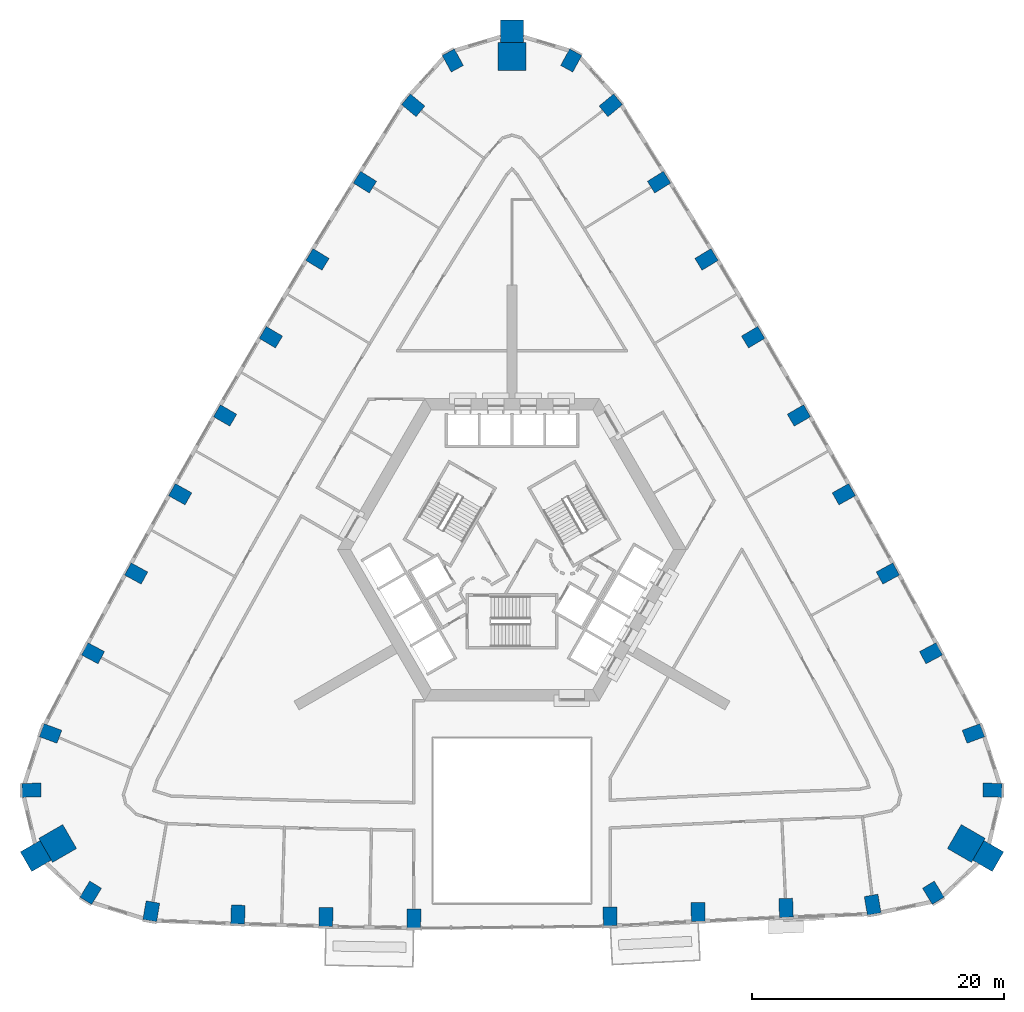
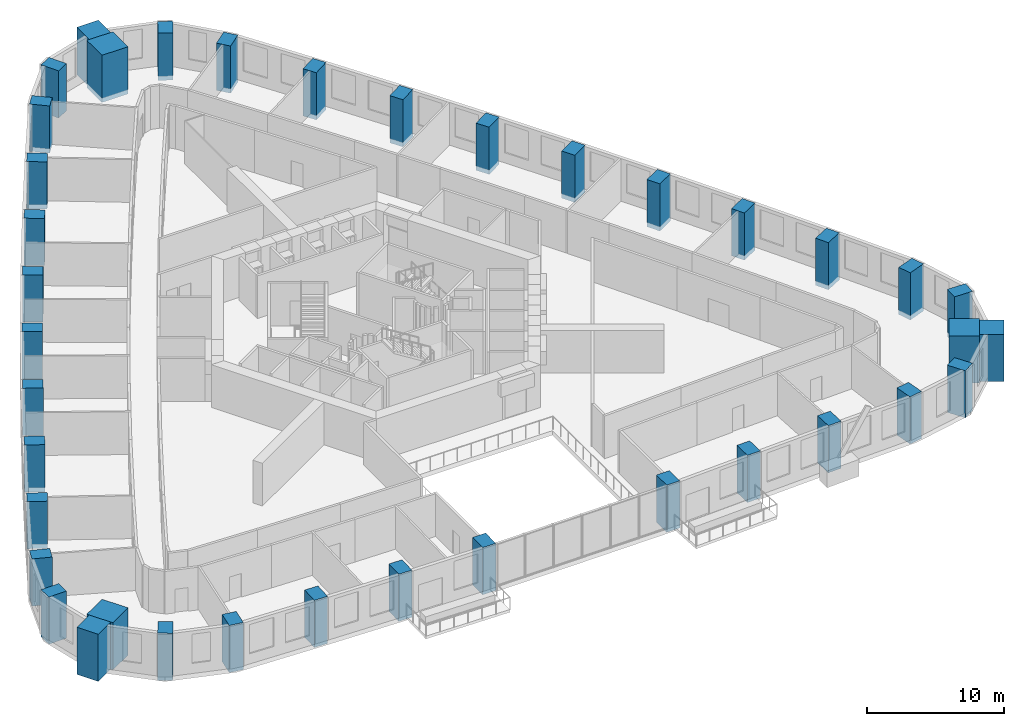
# One storey, part 1 of 14: 38 columns.
"""IFC4 building model written with IfcOpenShell, lengths in metres."""

from ifc_helpers import new_model, si_unit, direction, frame, origin, origin_2d, place, context, subcontext, project, spatial, rectangle, extrude, material, material_profile, profile_set, type_object, element, save


model = new_model("IFC4")

# Units and contexts
model_context = context("Model", 3, precision=1e-05, world=origin(), true_north=direction((0.0, 1.0)))
body_context = subcontext(model_context, "Body", "Model", "MODEL_VIEW")
ifc_project = project(units=[si_unit("LENGTHUNIT", "METRE"), si_unit("AREAUNIT", "SQUARE_METRE"), si_unit("VOLUMEUNIT", "CUBIC_METRE"), si_unit("PLANEANGLEUNIT", "RADIAN"), si_unit("MASSUNIT", "GRAM", prefix="KILO")], contexts=[model_context])

# Site, building, storey
site_placement = place(None, origin())
site = spatial("IfcSite", under=ifc_project, at=site_placement, CompositionType="ELEMENT")
building_placement = place(site_placement, origin())
building = spatial("IfcBuilding", under=site, at=building_placement, Name="Entoto Arch Interchange Tower", CompositionType="ELEMENT")
storey_placement = place(building_placement, frame((0.0, 0.0, 116.0)))
storey = spatial("IfcBuildingStorey", under=building, at=storey_placement, Name="L25", CompositionType="ELEMENT", Elevation=116.0)

# Columns
ifc_material_1 = material(Name="Concrete C60/75", Category="concrete")
ifc_material_profile_1 = material_profile(ifc_material_1, rectangle(XDim=1.10009765625, YDim=1.5, at=origin_2d()))
ifc_profile_set_1 = profile_set([ifc_material_profile_1], Name="Concrete C60/75")
column_type_1 = type_object("IfcColumnType", Name="Column RC 1100x1500 C60/75", PredefinedType="COLUMN", material=ifc_profile_set_1)
for number, where, z_axis, x_axis, name in (
    (1, (-28.633056640625, -26.214111328125, -0.39990234375), (0.0, 0.0, 1.0), (-0.985759288085, 0.168162498658, 0.0), "Column S01 L25"),
    (2, (-21.757080078125, -26.469970703125, -0.39990234375), (0.0, 0.0, 1.0), (-0.999373652571, 0.035387887008, 0.0), "Column S02 L25"),
    (3, (-14.77294921875, -26.662109375, -0.39990234375), (0.0, 0.0, 1.0), (-0.999711216939, 0.024030870297, 0.0), "Column S03 L25"),
    (4, (-7.7919921875, -26.781982421875, -0.39990234375), (0.0, 0.0, 1.0), (-0.999958020206, 0.009162850353, 0.0), "Column S04 L25"),
    (5, (7.7919921875, -26.610107421875, -0.39990234375), (0.0, 0.0, 1.0), (0.999958020206, 0.009162850353, 0.0), "Column S05 L25"),
    (6, (14.77294921875, -26.26708984375, -0.39990234375), (0.0, 0.0, 1.0), (0.999711216939, 0.024030870297, 0.0), "Column S06 L25"),
    (7, (21.757080078125, -25.94189453125, -0.39990234375), (0.0, 0.0, 1.0), (0.999373652571, 0.035387887008, 0.0), "Column S07 L25"),
    (8, (28.633056640625, -25.68603515625, -0.39990234375), (0.0, 0.0, 1.0), (0.985759288085, 0.168162498658, 0.0), "Column S08 L25"),
    (9, (33.447021484375, -24.737060546875, -0.39990234375), (0.0, 0.0, 1.0), (0.854095929175, 0.520115510024, 0.0), "Column SE1 L25"),
    (10, (38.14697265625, -16.596923828125, -0.39990234375), (0.0, 0.0, 1.0), (0.023385279996, 0.999726526946, 0.0), "Column SE3 L25"),
    (11, (36.635009765625, -12.095947265625, -0.39990234375), (0.0, 0.0, 1.0), (-0.347312116358, 0.937749590152, 0.0), "Column NE01 L25"),
    (12, (33.26611328125, -5.72607421875, -0.39990234375), (0.0, 0.0, 1.0), (-0.469332863911, 0.883021326386, 0.0), "Column NE02 L25"),
    (13, (29.837890625, 0.60400390625, -0.39990234375), (0.0, 0.0, 1.0), (-0.479611016922, 0.87748120917, 0.0), "Column NE03 L25"),
    (14, (26.341064453125, 6.89599609375, -0.39990234375), (0.0, 0.0, 1.0), (-0.489838999048, 0.87181291285, 0.0), "Column NE04 L25"),
    (15, (22.777099609375, 13.14990234375, -0.39990234375), (0.0, 0.0, 1.0), (-0.5, 0.866025403784, 0.0), "Column NE05 L25"),
    (16, (19.14306640625, 19.364013671875, -0.39990234375), (0.0, 0.0, 1.0), (-0.510092630351, 0.860119473365, 0.0), "Column NE06 L25"),
    (17, (15.44189453125, 25.5390625, -0.39990234375), (0.0, 0.0, 1.0), (-0.520115510024, 0.854095929175, 0.0), "Column NE07 L25"),
    (18, (11.675048828125, 31.673095703125, -0.39990234375), (0.0, 0.0, 1.0), (-0.530067268476, 0.847955594881, 0.0), "Column NE08 L25"),
    (19, (7.842041015625, 37.77392578125, -0.39990234375), (0.0, 0.0, 1.0), (-0.638458909281, 0.769655910885, 0.0), "Column NE09 L25"),
    (20, (4.699951171875, 41.333984375, -0.39990234375), (0.0, 0.0, 1.0), (-0.87748120917, 0.479611016922, 0.0), "Column N1 L25"),
    (21, (-4.699951171875, 41.333984375, -0.39990234375), (0.0, 0.0, 1.0), (0.87748120917, 0.479611016922, 0.0), "Column N3 L25"),
    (22, (-7.842041015625, 37.77392578125, -0.39990234375), (0.0, 0.0, 1.0), (0.638458909281, 0.769655910885, 0.0), "Column NW01 L25"),
    (23, (-11.675048828125, 31.673095703125, -0.39990234375), (0.0, 0.0, 1.0), (0.530067268476, 0.847955594881, 0.0), "Column NW02 L25"),
    (24, (-15.44189453125, 25.5390625, -0.39990234375), (0.0, 0.0, 1.0), (0.520115510024, 0.854095929175, 0.0), "Column NW03 L25"),
    (25, (-19.14306640625, 19.364013671875, -0.39990234375), (0.0, 0.0, 1.0), (0.510092630351, 0.860119473365, 0.0), "Column NW04 L25"),
    (26, (-22.777099609375, 13.14990234375, -0.39990234375), (0.0, 0.0, 1.0), (0.5, 0.866025403784, 0.0), "Column NW05 L25"),
    (27, (-26.341064453125, 6.89599609375, -0.39990234375), (0.0, 0.0, 1.0), (0.489838999048, 0.87181291285, 0.0), "Column NW06 L25"),
    (28, (-29.837890625, 0.60400390625, -0.39990234375), (0.0, 0.0, 1.0), (0.479611016922, 0.87748120917, 0.0), "Column NW07 L25"),
    (29, (-33.26611328125, -5.72607421875, -0.39990234375), (0.0, 0.0, 1.0), (0.469332863911, 0.883021326386, 0.0), "Column NW08 L25"),
    (30, (-36.635009765625, -12.095947265625, -0.39990234375), (0.0, 0.0, 1.0), (0.347312116358, 0.937749590152, 0.0), "Column NW09 L25"),
    (31, (-38.14697265625, -16.596923828125, -0.39990234375), (0.0, 0.0, 1.0), (-0.023385279996, 0.999726526946, 0.0), "Column SW1 L25"),
    (32, (-33.447021484375, -24.737060546875, -0.39990234375), (0.0, 0.0, 1.0), (-0.854095929175, 0.520115510024, 0.0), "Column SW3 L25"),
):
    element("IfcColumn", number, at=place(storey_placement, frame(where, z_axis=z_axis, x_axis=x_axis)), inside=storey, type_object=column_type_1, Name=name, PredefinedType="COLUMN", context=body_context, shape_type="SweptSolid", body=[
        extrude(rectangle(XDim=1.10009765625, YDim=1.5, at=origin_2d()), origin(), (0.0, 0.0, 1.0), 4.199951171875),
    ])
ifc_material_2 = material(Name="Precast concrete C40/50", Category="concrete")
ifc_material_profile_2 = material_profile(ifc_material_2, rectangle(XDim=1.800048828125, YDim=1.800048828125, at=origin_2d()))
ifc_profile_set_2 = profile_set([ifc_material_profile_2], Name="Precast concrete C40/50")
column_type_2 = type_object("IfcColumnType", Name="Frame post RC 1800x1800 precast C40/50", PredefinedType="COLUMN", material=ifc_profile_set_2)
for number, where, z_axis, x_axis, name in (
    (33, (37.801025390625, -21.824951171875, -0.39990234375), (0.0, 0.0, 1.0), (-0.866025403784, 0.5, 0.0), "Frame post SE L25"),
    (34, (0.0, 43.64892578125, -0.39990234375), (0.0, 0.0, 1.0), (0.0, 1.0, 0.0), "Frame post N L25"),
    (35, (-37.801025390625, -21.824951171875, -0.39990234375), (0.0, 0.0, 1.0), (0.866025403784, 0.5, 0.0), "Frame post SW L25"),
):
    element("IfcColumn", number, at=place(storey_placement, frame(where, z_axis=z_axis, x_axis=x_axis)), inside=storey, type_object=column_type_2, Name=name, PredefinedType="COLUMN", context=body_context, shape_type="SweptSolid", body=[
        extrude(rectangle(XDim=1.800048828125, YDim=1.800048828125, at=origin_2d()), origin(), (0.0, 0.0, 1.0), 4.199951171875),
    ])
ifc_material_profile_3 = material_profile(ifc_material_1, rectangle(XDim=2.199951171875, YDim=2.199951171875, at=origin_2d()))
ifc_profile_set_3 = profile_set([ifc_material_profile_3], Name="Concrete C60/75")
column_type_3 = type_object("IfcColumnType", Name="Mega column RC 2200x2200 C60/75", PredefinedType="COLUMN", material=ifc_profile_set_3)
for number, where, z_axis, x_axis, name in (
    (36, (36.069091796875, -20.824951171875, -0.39990234375), (0.0, 0.0, 1.0), (-0.866025403784, 0.5, 0.0), "Corner mega column SE2 L25"),
    (37, (0.0, 41.64892578125, -0.39990234375), (0.0, 0.0, 1.0), (0.0, 1.0, 0.0), "Corner mega column N2 L25"),
    (38, (-36.069091796875, -20.824951171875, -0.39990234375), (0.0, 0.0, 1.0), (0.866025403784, 0.5, 0.0), "Corner mega column SW2 L25"),
):
    element("IfcColumn", number, at=place(storey_placement, frame(where, z_axis=z_axis, x_axis=x_axis)), inside=storey, type_object=column_type_3, Name=name, PredefinedType="COLUMN", context=body_context, shape_type="SweptSolid", body=[
        extrude(rectangle(XDim=2.199951171875, YDim=2.199951171875, at=origin_2d()), origin(), (0.0, 0.0, 1.0), 4.199951171875),
    ])

save(model, "model.ifc")
